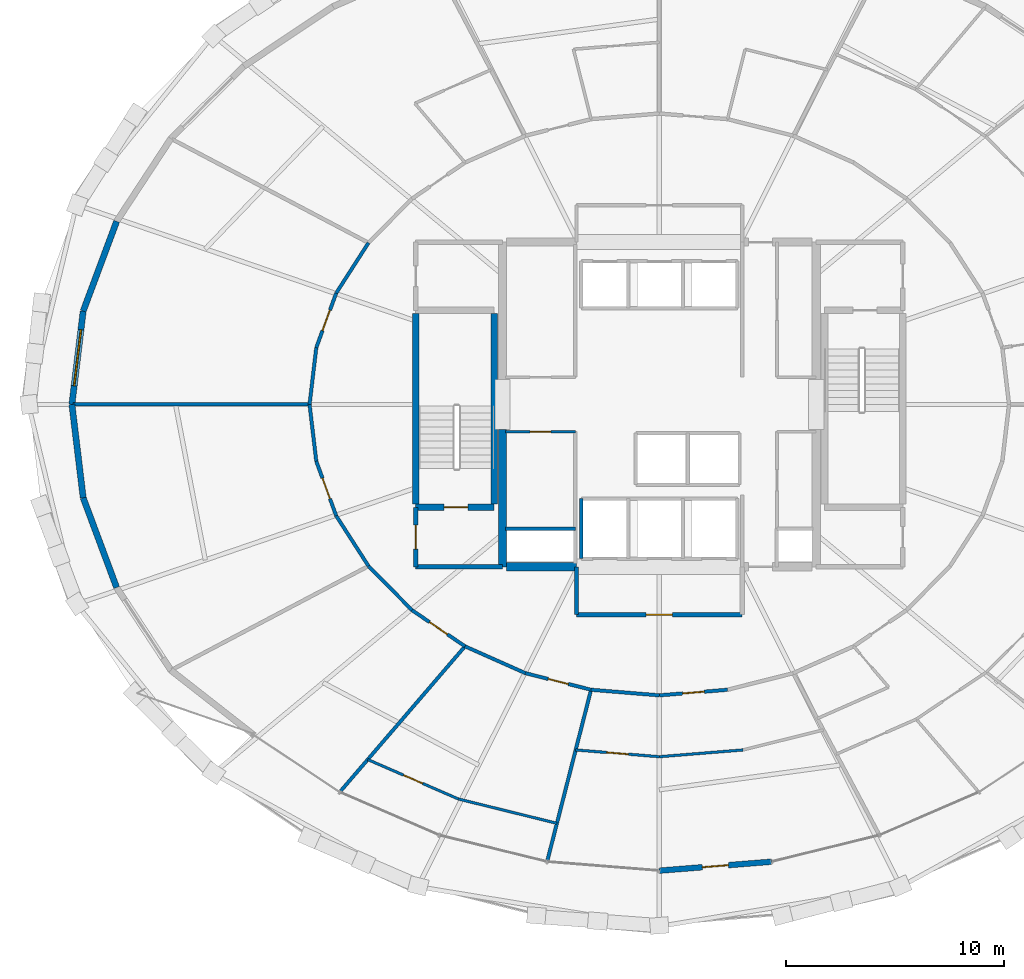
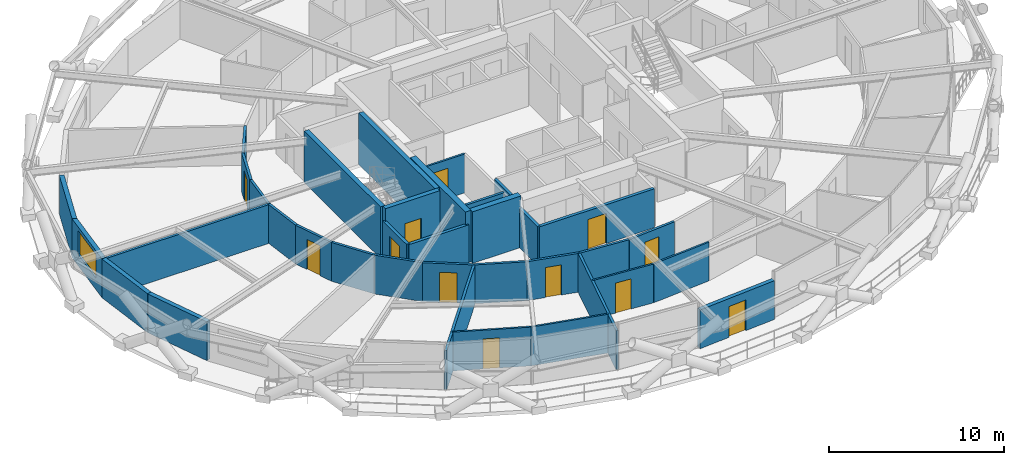
# One storey, part 13 of 19: 36 walls, 12 doors, 1 window, 13 openings.
"""IFC4 building model written with IfcOpenShell, lengths in metres."""

from ifc_helpers import new_model, si_unit, direction, frame, frame_2d, origin, place, context, subcontext, project, spatial, rectangle, extrude, material, layer, layer_set, type_object, element, fill, save


model = new_model("IFC4")

# Units and contexts
model_context = context("Model", 3, precision=1e-05, world=origin(), true_north=direction((0.0, 1.0)))
body_context = subcontext(model_context, "Body", "Model", "MODEL_VIEW")
ifc_project = project(units=[si_unit("LENGTHUNIT", "METRE"), si_unit("AREAUNIT", "SQUARE_METRE"), si_unit("VOLUMEUNIT", "CUBIC_METRE"), si_unit("PLANEANGLEUNIT", "RADIAN"), si_unit("MASSUNIT", "GRAM", prefix="KILO")], contexts=[model_context])

# Site, building, storey
site_placement = place(None, origin())
site = spatial("IfcSite", under=ifc_project, at=site_placement, CompositionType="ELEMENT")
building_placement = place(site_placement, origin())
building = spatial("IfcBuilding", under=site, at=building_placement, Name="Veldorina Hangang Commons", CompositionType="ELEMENT")
storey_placement = place(building_placement, frame((0.0, 0.0, 70.0)))
storey = spatial("IfcBuildingStorey", under=building, at=storey_placement, Name="L17", CompositionType="ELEMENT", Elevation=70.0)

# Walls
ifc_material_1 = material(Name="Concrete C70/85", Category="concrete")
ifc_layer_1 = layer(ifc_material_1, 0.3798828125)
ifc_layer_set_1 = layer_set([ifc_layer_1], Name="Concrete C70/85")
wall_type_1 = type_object("IfcWallType", Name="CW-RC380-C70", PredefinedType="SHEAR", material=ifc_layer_set_1)
wall_1_placement = place(storey_placement, frame((24.800048828125, 16.550048828125, 0.0), z_axis=(0.0, 0.0, 1.0), x_axis=(0.0, 1.0, 0.0)))
element("IfcWall", 1, at=wall_1_placement, inside=storey, type_object=wall_type_1, Name="L17 W south core shear wall", PredefinedType="SHEAR", context=body_context, shape_type="SweptSolid", body=[
    extrude(rectangle(XDim=6.300048828125, YDim=0.3798828125, at=frame_2d((3.14990234375, 0.0))), origin(), (0.0, 0.0, 1.0), 3.60009765625),
])
wall_2_placement = place(storey_placement, frame((24.989990234375, 16.550048828125, 0.0), z_axis=(0.0, 0.0, 1.0), x_axis=(1.0, 0.0, 0.0)))
element("IfcWall", 2, at=wall_2_placement, inside=storey, type_object=wall_type_1, Name="L17 south-west core shear wall", PredefinedType="SHEAR", context=body_context, shape_type="SweptSolid", body=[
    extrude(rectangle(XDim=3.2099609375, YDim=0.3798828125, at=frame_2d((1.60498046875, 0.0))), origin(), (0.0, 0.0, 1.0), 3.60009765625),
])

# Wall, opening, door
ifc_material_2 = material(Name="Stone Roman Travertine", Category="masonry")
ifc_layer_2 = layer(ifc_material_2, 0.260009765625)
ifc_layer_set_2 = layer_set([ifc_layer_2], Name="Stone Roman Travertine")
wall_type_2 = type_object("IfcWallType", Name="EW-LOGGIA-260", PredefinedType="STANDARD", material=ifc_layer_set_2)
wall_3_placement = place(storey_placement, frame((32.0, 2.604248046875, 0.0), z_axis=(0.0, 0.0, 1.0), x_axis=(0.996828188341, 0.079583685069, 0.0)))
wall_3 = element("IfcWall", 3, at=wall_3_placement, inside=storey, type_object=wall_type_2, Name="L17 sky-garden loggia portal wall 24", PredefinedType="STANDARD", context=body_context, shape_type="SweptSolid", body=[
    extrude(rectangle(XDim=5.166015625, YDim=0.260009765625, at=frame_2d((2.5830078125, 0.0))), origin(), (0.0, 0.0, 1.0), 2.7099609375),
])
opening_1_placement = place(wall_3_placement, frame((1.98291015625, 0.0, 0.0)))
opening_1 = element("IfcOpeningElement", 4, at=opening_1_placement, cuts=wall_3, Name="Opening BD-1200", PredefinedType="OPENING", context=body_context, shape_type="SweptSolid", body=[
    extrude(rectangle(XDim=1.199951171875, YDim=2.14990234375, at=frame_2d((0.60009765625, 1.074951171875))), frame((0.0, 0.14013671875, 0.0), z_axis=(0.0, -1.0, 0.0), x_axis=(1.0, 0.0, 0.0)), (0.0, 0.0, 1.0), 0.280029296875),
])
ifc_material_3 = material(Name="Glass Thermal Aluminium Frame", Category="aluminium")
door_type_1 = type_object("IfcDoorType", Name="DR-EXT-LOG1200", OperationType="SINGLE_SWING_LEFT", PredefinedType="DOOR", material=ifc_material_3)
door_1_placement = place(opening_1_placement, origin())
door_1 = element("IfcDoor", 5, at=door_1_placement, inside=storey, type_object=door_type_1, Name="L17 loggia glazed exterior door 24", OperationType="SINGLE_SWING_LEFT", OverallHeight=2.14990234375, OverallWidth=1.199951171875, PredefinedType="DOOR", context=body_context, shape_type="SweptSolid", body=[
    extrude(rectangle(XDim=1.199951171875, YDim=2.14990234375, at=frame_2d((0.60009765625, 1.074951171875))), frame((0.0, 0.02490234375, 0.0), z_axis=(0.0, -1.0, 0.0), x_axis=(1.0, 0.0, 0.0)), (0.0, 0.0, 1.0), 0.050048828125),
])
fill(opening_1, door_1)

# Wall
ifc_layer_3 = layer(ifc_material_2, 0.280029296875)
ifc_layer_set_3 = layer_set([ifc_layer_3], Name="Stone Roman Travertine")
wall_type_3 = type_object("IfcWallType", Name="EW-TRAV-280", PredefinedType="STANDARD", material=ifc_layer_set_3)
wall_4_placement = place(storey_placement, frame((7.09619140625, 32.402099609375, 0.0), z_axis=(0.0, 0.0, 1.0), x_axis=(-0.349065026796, -0.937098504464, 0.0)))
element("IfcWall", 6, at=wall_4_placement, inside=storey, type_object=wall_type_3, Name="L17 travertine facade wall 14", PredefinedType="STANDARD", context=body_context, shape_type="SweptSolid", body=[
    extrude(rectangle(XDim=4.39501953125, YDim=0.280029296875, at=frame_2d((2.197509765625, 0.0))), origin(), (0.0, 0.0, 1.0), 2.7099609375),
])

# Wall, opening, window
wall_5_placement = place(storey_placement, frame((5.56201171875, 28.283447265625, 0.0), z_axis=(0.0, 0.0, 1.0), x_axis=(-0.120015359714, -0.992772034977, 0.0)))
wall_5 = element("IfcWall", 7, at=wall_5_placement, inside=storey, type_object=wall_type_3, Name="L17 travertine facade wall 15", PredefinedType="STANDARD", context=body_context, shape_type="SweptSolid", body=[
    extrude(rectangle(XDim=4.314697265625, YDim=0.280029296875, at=frame_2d((2.1572265625, 0.0))), origin(), (0.0, 0.0, 1.0), 2.7099609375),
])
opening_2_placement = place(wall_5_placement, frame((0.857421875, 0.0, 0.800048828125)))
opening_2 = element("IfcOpeningElement", 8, at=opening_2_placement, cuts=wall_5, Name="Opening W-02", PredefinedType="OPENING", context=body_context, shape_type="SweptSolid", body=[
    extrude(rectangle(XDim=2.60009765625, YDim=1.64990234375, at=frame_2d((1.300048828125, 0.824951171875))), frame((0.0, 0.14990234375, 0.0), z_axis=(0.0, -1.0, 0.0), x_axis=(1.0, 0.0, 0.0)), (0.0, 0.0, 1.0), 0.300048828125),
])
ifc_material_4 = material(Name="Glass Low-E Triple IGU", Category="glass")
window_type = type_object("IfcWindowType", Name="WIN-TWR-2600", PartitioningType="SINGLE_PANEL", PredefinedType="WINDOW", material=ifc_material_4)
window_placement = place(opening_2_placement, origin())
window = element("IfcWindow", 9, at=window_placement, inside=storey, type_object=window_type, Name="L17 facade window 15", OverallHeight=1.64990234375, OverallWidth=2.60009765625, PartitioningType="SINGLE_PANEL", PredefinedType="WINDOW", context=body_context, shape_type="SweptSolid", body=[
    extrude(rectangle(XDim=2.60009765625, YDim=1.64990234375, at=frame_2d((1.300048828125, 0.824951171875))), frame((0.0, 0.030029296875, 0.0), z_axis=(0.0, -1.0, 0.0), x_axis=(1.0, 0.0, 0.0)), (0.0, 0.0, 1.0), 0.06005859375),
])
fill(opening_2, window)

# Walls
wall_6_placement = place(storey_placement, frame((5.044189453125, 24.0, 0.0), z_axis=(0.0, 0.0, 1.0), x_axis=(0.120015359714, -0.992772034977, 0.0)))
element("IfcWall", 10, at=wall_6_placement, inside=storey, type_object=wall_type_3, Name="L17 travertine facade wall 16", PredefinedType="STANDARD", context=body_context, shape_type="SweptSolid", body=[
    extrude(rectangle(XDim=4.314697265625, YDim=0.280029296875, at=frame_2d((2.1572265625, 0.0))), origin(), (0.0, 0.0, 1.0), 2.7099609375),
])
wall_7_placement = place(storey_placement, frame((5.56201171875, 19.716552734375, 0.0), z_axis=(0.0, 0.0, 1.0), x_axis=(0.349065026796, -0.937098504464, 0.0)))
element("IfcWall", 11, at=wall_7_placement, inside=storey, type_object=wall_type_3, Name="L17 travertine facade wall 17", PredefinedType="STANDARD", context=body_context, shape_type="SweptSolid", body=[
    extrude(rectangle(XDim=4.39501953125, YDim=0.280029296875, at=frame_2d((2.197509765625, 0.0))), origin(), (0.0, 0.0, 1.0), 2.7099609375),
])
ifc_material_5 = material(Name="Concrete C50/60", Category="concrete")
ifc_layer_4 = layer(ifc_material_5, 0.300048828125)
ifc_layer_set_4 = layer_set([ifc_layer_4], Name="Concrete C50/60")
wall_type_4 = type_object("IfcWallType", Name="SW-STAIR-300", PredefinedType="SHEAR", material=ifc_layer_set_4)
for number, where, z_axis, x_axis, name in (
    (12, (20.820068359375, 19.429931640625, 0.0), (0.0, 0.0, 1.0), (0.0, 1.0, 0.0), "L17 ST1 outer stair shear wall"),
    (13, (24.419921875, 19.429931640625, 0.0), (0.0, 0.0, 1.0), (0.0, 1.0, 0.0), "L17 ST1 inner stair shear wall"),
):
    element("IfcWall", number, at=place(storey_placement, frame(where, z_axis=z_axis, x_axis=x_axis)), inside=storey, type_object=wall_type_4, Name=name, PredefinedType="SHEAR", context=body_context, shape_type="SweptSolid", body=[
        extrude(rectangle(XDim=8.739990234375, YDim=0.300048828125, at=frame_2d((4.3701171875, 0.0))), origin(), (0.0, 0.0, 1.0), 3.60009765625),
    ])

# Wall, opening, door
wall_8_placement = place(storey_placement, frame((20.820068359375, 19.280029296875, 0.0), z_axis=(0.0, 0.0, 1.0), x_axis=(1.0, 0.0, 0.0)))
wall_8 = element("IfcWall", 14, at=wall_8_placement, inside=storey, type_object=wall_type_4, Name="L17 ST1 south stair shear wall", PredefinedType="SHEAR", context=body_context, shape_type="SweptSolid", body=[
    extrude(rectangle(XDim=3.599853515625, YDim=0.300048828125, at=frame_2d((1.7998046875, 0.0))), origin(), (0.0, 0.0, 1.0), 3.60009765625),
])
opening_3_placement = place(wall_8_placement, frame((1.300048828125, 0.0, 0.0)))
opening_3 = element("IfcOpeningElement", 15, at=opening_3_placement, cuts=wall_8, Name="Opening D-08", PredefinedType="OPENING", context=body_context, shape_type="SweptSolid", body=[
    extrude(rectangle(XDim=1.10009765625, YDim=2.10009765625, at=frame_2d((0.550048828125, 1.050048828125))), frame((0.0, 0.16015625, 0.0), z_axis=(0.0, -1.0, 0.0), x_axis=(1.0, 0.0, 0.0)), (0.0, 0.0, 1.0), 0.320068359375),
])
ifc_material_6 = material(Name="Steel Fire-Rated Smoke Seal", Category="steel")
door_type_2 = type_object("IfcDoorType", Name="DR-FIRE-1100", OperationType="SINGLE_SWING_RIGHT", PredefinedType="DOOR", material=ifc_material_6)
door_2_placement = place(opening_3_placement, origin())
door_2 = element("IfcDoor", 16, at=door_2_placement, inside=storey, type_object=door_type_2, Name="L17 Special Escape Stair ST-1 door", OperationType="SINGLE_SWING_LEFT", OverallHeight=2.10009765625, OverallWidth=1.10009765625, PredefinedType="DOOR", context=body_context, shape_type="SweptSolid", body=[
    extrude(rectangle(XDim=1.10009765625, YDim=2.10009765625, at=frame_2d((0.550048828125, 1.050048828125))), frame((0.0, 0.02490234375, 0.0), z_axis=(0.0, -1.0, 0.0), x_axis=(1.0, 0.0, 0.0)), (0.0, 0.0, 1.0), 0.050048828125),
])
fill(opening_3, door_2)

# Walls
ifc_material_7 = material(Name="Gypsum Fire-Rated Twin Stud Wall", Category="gypsum")
ifc_layer_5 = layer(ifc_material_7, 0.159912109375)
ifc_layer_set_5 = layer_set([ifc_layer_5], Name="Gypsum Fire-Rated Twin Stud Wall")
wall_type_5 = type_object("IfcWallType", Name="WL-FIRE-160", PredefinedType="SOLIDWALL", material=ifc_layer_set_5)
wall_9_placement = place(storey_placement, frame((28.419921875, 16.919921875, 0.0), z_axis=(0.0, 0.0, 1.0), x_axis=(0.0, 1.0, 0.0)))
element("IfcWall", 17, at=wall_9_placement, inside=storey, type_object=wall_type_5, Name="L17 FFL-1 west shaft wall 028", PredefinedType="SOLIDWALL", context=body_context, shape_type="SweptSolid", body=[
    extrude(rectangle(XDim=2.760009765625, YDim=0.159912109375, at=frame_2d((1.3798828125, 0.0))), origin(), (0.0, 0.0, 1.0), 2.7099609375),
])
wall_10_placement = place(storey_placement, frame((24.949951171875, 18.300048828125, 0.0), z_axis=(0.0, 0.0, 1.0), x_axis=(1.0, 0.0, 0.0)))
element("IfcWall", 18, at=wall_10_placement, inside=storey, type_object=wall_type_5, Name="L17 Electrical riser wall 035", PredefinedType="SOLIDWALL", context=body_context, shape_type="SweptSolid", body=[
    extrude(rectangle(XDim=3.199951171875, YDim=0.159912109375, at=frame_2d((1.60009765625, 0.0))), origin(), (0.0, 0.0, 1.0), 2.7099609375),
])
wall_11_placement = place(storey_placement, frame((18.65478515625, 31.4169921875, 0.0), z_axis=(0.0, 0.0, 1.0), x_axis=(-0.540595670038, -0.841282545603, 0.0)))
element("IfcWall", 19, at=wall_11_placement, inside=storey, type_object=wall_type_5, Name="L17 Corridor outer wall 13 058", PredefinedType="SOLIDWALL", context=body_context, shape_type="SweptSolid", body=[
    extrude(rectangle(XDim=2.74365234375, YDim=0.159912109375, at=frame_2d((1.371826171875, 0.0))), origin(), (0.0, 0.0, 1.0), 2.7099609375),
])

# Wall, opening, door
wall_12_placement = place(storey_placement, frame((17.171630859375, 29.10888671875, 0.0), z_axis=(0.0, 0.0, 1.0), x_axis=(-0.342617982381, -0.939474809747, 0.0)))
wall_12 = element("IfcWall", 20, at=wall_12_placement, inside=storey, type_object=wall_type_5, Name="L17 Corridor outer wall 14 059", PredefinedType="SOLIDWALL", context=body_context, shape_type="SweptSolid", body=[
    extrude(rectangle(XDim=2.665771484375, YDim=0.159912109375, at=frame_2d((1.3330078125, 0.0))), origin(), (0.0, 0.0, 1.0), 2.7099609375),
])
opening_4_placement = place(wall_12_placement, frame((0.832763671875, 0.0, 0.0)))
opening_4 = element("IfcOpeningElement", 21, at=opening_4_placement, cuts=wall_12, Name="Opening D-05", PredefinedType="OPENING", context=body_context, shape_type="SweptSolid", body=[
    extrude(rectangle(XDim=1.0, YDim=2.10009765625, at=frame_2d((0.5, 1.050048828125))), frame((0.0, 0.08984375, 0.0), z_axis=(0.0, -1.0, 0.0), x_axis=(1.0, 0.0, 0.0)), (0.0, 0.0, 1.0), 0.179931640625),
])
ifc_material_8 = material(Name="Timber Solid Core Acoustic", Category="wood")
door_type_3 = type_object("IfcDoorType", Name="DR-INT-1000", OperationType="SINGLE_SWING_RIGHT", PredefinedType="DOOR", material=ifc_material_8)
door_3_placement = place(opening_4_placement, origin())
door_3 = element("IfcDoor", 22, at=door_3_placement, inside=storey, type_object=door_type_3, Name="L17 Floor Study Room 7 door 041", OperationType="SINGLE_SWING_LEFT", OverallHeight=2.10009765625, OverallWidth=1.0, PredefinedType="DOOR", context=body_context, shape_type="SweptSolid", body=[
    extrude(rectangle(XDim=1.0, YDim=2.10009765625, at=frame_2d((0.5, 1.050048828125))), frame((0.0, 0.02490234375, 0.0), z_axis=(0.0, -1.0, 0.0), x_axis=(1.0, 0.0, 0.0)), (0.0, 0.0, 1.0), 0.050048828125),
])
fill(opening_4, door_3)

# Walls
for number, where, z_axis, x_axis, name in (
    (23, (16.25830078125, 26.6044921875, 0.0), (0.0, 0.0, 1.0), (-0.117570353762, -0.993064555765, 0.0), "L17 Corridor outer wall 15 060"),
    (24, (15.949951171875, 24.0, 0.0), (0.0, 0.0, 1.0), (0.117570353762, -0.993064555765, 0.0), "L17 Corridor outer wall 16 061"),
):
    element("IfcWall", number, at=place(storey_placement, frame(where, z_axis=z_axis, x_axis=x_axis)), inside=storey, type_object=wall_type_5, Name=name, PredefinedType="SOLIDWALL", context=body_context, shape_type="SweptSolid", body=[
        extrude(rectangle(XDim=2.622802734375, YDim=0.159912109375, at=frame_2d((1.3115234375, 0.0))), origin(), (0.0, 0.0, 1.0), 2.7099609375),
    ])

# Wall, opening, door
wall_13_placement = place(storey_placement, frame((16.25830078125, 21.3955078125, 0.0), z_axis=(0.0, 0.0, 1.0), x_axis=(0.342617982381, -0.939474809747, 0.0)))
wall_13 = element("IfcWall", 25, at=wall_13_placement, inside=storey, type_object=wall_type_5, Name="L17 Corridor outer wall 17 062", PredefinedType="SOLIDWALL", context=body_context, shape_type="SweptSolid", body=[
    extrude(rectangle(XDim=2.665771484375, YDim=0.159912109375, at=frame_2d((1.3330078125, 0.0))), origin(), (0.0, 0.0, 1.0), 2.7099609375),
])
opening_5_placement = place(wall_13_placement, frame((0.832763671875, 0.0, 0.0)))
opening_5 = element("IfcOpeningElement", 26, at=opening_5_placement, cuts=wall_13, Name="Opening D-05", PredefinedType="OPENING", context=body_context, shape_type="SweptSolid", body=[
    extrude(rectangle(XDim=1.0, YDim=2.10009765625, at=frame_2d((0.5, 1.050048828125))), frame((0.0, 0.08984375, 0.0), z_axis=(0.0, -1.0, 0.0), x_axis=(1.0, 0.0, 0.0)), (0.0, 0.0, 1.0), 0.179931640625),
])
door_4_placement = place(opening_5_placement, origin())
door_4 = element("IfcDoor", 27, at=door_4_placement, inside=storey, type_object=door_type_3, Name="L17 Floor Study Room 8 door 042", OperationType="SINGLE_SWING_RIGHT", OverallHeight=2.10009765625, OverallWidth=1.0, PredefinedType="DOOR", context=body_context, shape_type="SweptSolid", body=[
    extrude(rectangle(XDim=1.0, YDim=2.10009765625, at=frame_2d((0.5, 1.050048828125))), frame((0.0, 0.02490234375, 0.0), z_axis=(0.0, -1.0, 0.0), x_axis=(1.0, 0.0, 0.0)), (0.0, 0.0, 1.0), 0.050048828125),
])
fill(opening_5, door_4)

# Walls
wall_14_placement = place(storey_placement, frame((17.171630859375, 18.89111328125, 0.0), z_axis=(0.0, 0.0, 1.0), x_axis=(0.540595670038, -0.841282545603, 0.0)))
element("IfcWall", 28, at=wall_14_placement, inside=storey, type_object=wall_type_5, Name="L17 Corridor outer wall 18 063", PredefinedType="SOLIDWALL", context=body_context, shape_type="SweptSolid", body=[
    extrude(rectangle(XDim=2.74365234375, YDim=0.159912109375, at=frame_2d((1.371826171875, 0.0))), origin(), (0.0, 0.0, 1.0), 2.7099609375),
])
wall_15_placement = place(storey_placement, frame((18.65478515625, 16.5830078125, 0.0), z_axis=(0.0, 0.0, 1.0), x_axis=(0.702366174226, -0.711815816981, 0.0)))
element("IfcWall", 29, at=wall_15_placement, inside=storey, type_object=wall_type_5, Name="L17 Corridor outer wall 19 064", PredefinedType="SOLIDWALL", context=body_context, shape_type="SweptSolid", body=[
    extrude(rectangle(XDim=2.842041015625, YDim=0.159912109375, at=frame_2d((1.4208984375, 0.0))), origin(), (0.0, 0.0, 1.0), 2.7099609375),
])

# Wall, opening, door
wall_16_placement = place(storey_placement, frame((20.65087890625, 14.56005859375, 0.0), z_axis=(0.0, 0.0, 1.0), x_axis=(0.825929039072, -0.563774088104, 0.0)))
wall_16 = element("IfcWall", 30, at=wall_16_placement, inside=storey, type_object=wall_type_5, Name="L17 Corridor outer wall 20 065", PredefinedType="SOLIDWALL", context=body_context, shape_type="SweptSolid", body=[
    extrude(rectangle(XDim=2.94482421875, YDim=0.159912109375, at=frame_2d((1.472412109375, 0.0))), origin(), (0.0, 0.0, 1.0), 2.7099609375),
])
opening_6_placement = place(wall_16_placement, frame((0.972412109375, 0.0, 0.0)))
opening_6 = element("IfcOpeningElement", 31, at=opening_6_placement, cuts=wall_16, Name="Opening D-05", PredefinedType="OPENING", context=body_context, shape_type="SweptSolid", body=[
    extrude(rectangle(XDim=1.0, YDim=2.10009765625, at=frame_2d((0.5, 1.050048828125))), frame((0.0, 0.08984375, 0.0), z_axis=(0.0, -1.0, 0.0), x_axis=(1.0, 0.0, 0.0)), (0.0, 0.0, 1.0), 0.179931640625),
])
door_5_placement = place(opening_6_placement, origin())
door_5 = element("IfcDoor", 32, at=door_5_placement, inside=storey, type_object=door_type_3, Name="L17 Seminar Focus Room 9 door 043", OperationType="SINGLE_SWING_LEFT", OverallHeight=2.10009765625, OverallWidth=1.0, PredefinedType="DOOR", context=body_context, shape_type="SweptSolid", body=[
    extrude(rectangle(XDim=1.0, YDim=2.10009765625, at=frame_2d((0.5, 1.050048828125))), frame((0.0, 0.02490234375, 0.0), z_axis=(0.0, -1.0, 0.0), x_axis=(1.0, 0.0, 0.0)), (0.0, 0.0, 1.0), 0.050048828125),
])
fill(opening_6, door_5)

# Wall
wall_17_placement = place(storey_placement, frame((23.0830078125, 12.89990234375, 0.0), z_axis=(0.0, 0.0, 1.0), x_axis=(0.913768445178, -0.406235434936, 0.0)))
element("IfcWall", 33, at=wall_17_placement, inside=storey, type_object=wall_type_5, Name="L17 Corridor outer wall 21 066", PredefinedType="SOLIDWALL", context=body_context, shape_type="SweptSolid", body=[
    extrude(rectangle(XDim=3.036865234375, YDim=0.159912109375, at=frame_2d((1.5185546875, 0.0))), origin(), (0.0, 0.0, 1.0), 2.7099609375),
])

# Wall, opening, door
wall_18_placement = place(storey_placement, frame((25.85791015625, 11.666259765625, 0.0), z_axis=(0.0, 0.0, 1.0), x_axis=(0.969608333194, -0.244662380029, 0.0)))
wall_18 = element("IfcWall", 34, at=wall_18_placement, inside=storey, type_object=wall_type_5, Name="L17 Corridor outer wall 22 067", PredefinedType="SOLIDWALL", context=body_context, shape_type="SweptSolid", body=[
    extrude(rectangle(XDim=3.10546875, YDim=0.159912109375, at=frame_2d((1.552734375, 0.0))), origin(), (0.0, 0.0, 1.0), 2.7099609375),
])
opening_7_placement = place(wall_18_placement, frame((1.07763671875, 0.0, 0.0)))
opening_7 = element("IfcOpeningElement", 35, at=opening_7_placement, cuts=wall_18, Name="Opening D-02", PredefinedType="OPENING", context=body_context, shape_type="SweptSolid", body=[
    extrude(rectangle(XDim=0.949951171875, YDim=2.10009765625, at=frame_2d((0.47509765625, 1.050048828125))), frame((0.0, 0.08984375, 0.0), z_axis=(0.0, -1.0, 0.0), x_axis=(1.0, 0.0, 0.0)), (0.0, 0.0, 1.0), 0.179931640625),
])
door_type_4 = type_object("IfcDoorType", Name="DR-INT-950", OperationType="SINGLE_SWING_LEFT", PredefinedType="DOOR", material=ifc_material_8)
door_6_placement = place(opening_7_placement, origin())
door_6 = element("IfcDoor", 36, at=door_6_placement, inside=storey, type_object=door_type_4, Name="L17 Linen drying store door 044", OperationType="SINGLE_SWING_RIGHT", OverallHeight=2.10009765625, OverallWidth=0.949951171875, PredefinedType="DOOR", context=body_context, shape_type="SweptSolid", body=[
    extrude(rectangle(XDim=0.949951171875, YDim=2.10009765625, at=frame_2d((0.47509765625, 1.050048828125))), frame((0.0, 0.02490234375, 0.0), z_axis=(0.0, -1.0, 0.0), x_axis=(1.0, 0.0, 0.0)), (0.0, 0.0, 1.0), 0.050048828125),
])
fill(opening_7, door_6)

# Wall
wall_19_placement = place(storey_placement, frame((28.868896484375, 10.906494140625, 0.0), z_axis=(0.0, 0.0, 1.0), x_axis=(0.996658973252, -0.081675522876, 0.0)))
element("IfcWall", 37, at=wall_19_placement, inside=storey, type_object=wall_type_5, Name="L17 Corridor outer wall 23 068", PredefinedType="SOLIDWALL", context=body_context, shape_type="SweptSolid", body=[
    extrude(rectangle(XDim=3.1416015625, YDim=0.159912109375, at=frame_2d((1.57080078125, 0.0))), origin(), (0.0, 0.0, 1.0), 2.7099609375),
])

# Wall, opening, door
wall_20_placement = place(storey_placement, frame((32.0, 10.64990234375, 0.0), z_axis=(0.0, 0.0, 1.0), x_axis=(0.996658973252, 0.081675522876, 0.0)))
wall_20 = element("IfcWall", 38, at=wall_20_placement, inside=storey, type_object=wall_type_5, Name="L17 Corridor outer wall 24 069", PredefinedType="SOLIDWALL", context=body_context, shape_type="SweptSolid", body=[
    extrude(rectangle(XDim=3.1416015625, YDim=0.159912109375, at=frame_2d((1.57080078125, 0.0))), origin(), (0.0, 0.0, 1.0), 2.7099609375),
])
opening_8_placement = place(wall_20_placement, frame((1.07080078125, 0.0, 0.0)))
opening_8 = element("IfcOpeningElement", 39, at=opening_8_placement, cuts=wall_20, Name="Opening D-05", PredefinedType="OPENING", context=body_context, shape_type="SweptSolid", body=[
    extrude(rectangle(XDim=1.0, YDim=2.10009765625, at=frame_2d((0.5, 1.050048828125))), frame((0.0, 0.08984375, 0.0), z_axis=(0.0, -1.0, 0.0), x_axis=(1.0, 0.0, 0.0)), (0.0, 0.0, 1.0), 0.179931640625),
])
door_7_placement = place(opening_8_placement, origin())
door_7 = element("IfcDoor", 40, at=door_7_placement, inside=storey, type_object=door_type_3, Name="L17 Commons alcove door 017", OperationType="SINGLE_SWING_LEFT", OverallHeight=2.10009765625, OverallWidth=1.0, PredefinedType="DOOR", context=body_context, shape_type="SweptSolid", body=[
    extrude(rectangle(XDim=1.0, YDim=2.10009765625, at=frame_2d((0.5, 1.050048828125))), frame((0.0, 0.02490234375, 0.0), z_axis=(0.0, -1.0, 0.0), x_axis=(1.0, 0.0, 0.0)), (0.0, 0.0, 1.0), 0.050048828125),
])
fill(opening_8, door_7)

# Walls
wall_21_placement = place(storey_placement, frame((28.868896484375, 10.906494140625, 0.0), z_axis=(0.0, 0.0, 1.0), x_axis=(-0.247811526691, -0.968808261339, 0.0)))
element("IfcWall", 41, at=wall_21_placement, inside=storey, type_object=wall_type_5, Name="L17 Unit party wall 23 077", PredefinedType="SOLIDWALL", context=body_context, shape_type="SweptSolid", body=[
    extrude(rectangle(XDim=8.09521484375, YDim=0.159912109375, at=frame_2d((4.047607421875, 0.0))), origin(), (0.0, 0.0, 1.0), 2.7099609375),
])
wall_22_placement = place(storey_placement, frame((15.949951171875, 24.0, 0.0), z_axis=(0.0, 0.0, 1.0), x_axis=(-1.0, 0.0, 0.0)))
element("IfcWall", 42, at=wall_22_placement, inside=storey, type_object=wall_type_5, Name="L17 Unit party wall 16 119", PredefinedType="SOLIDWALL", context=body_context, shape_type="SweptSolid", body=[
    extrude(rectangle(XDim=10.855712890625, YDim=0.159912109375, at=frame_2d((5.427734375, 0.0))), origin(), (0.0, 0.0, 1.0), 2.7099609375),
])
wall_23_placement = place(storey_placement, frame((23.0830078125, 12.89990234375, 0.0), z_axis=(0.0, 0.0, 1.0), x_axis=(-0.651664407247, -0.758507416133, 0.0)))
element("IfcWall", 43, at=wall_23_placement, inside=storey, type_object=wall_type_5, Name="L17 Unit party wall 21 121", PredefinedType="SOLIDWALL", context=body_context, shape_type="SweptSolid", body=[
    extrude(rectangle(XDim=8.77001953125, YDim=0.159912109375, at=frame_2d((4.385009765625, 0.0))), origin(), (0.0, 0.0, 1.0), 2.7099609375),
])

# Wall, opening, door
ifc_material_9 = material(Name="Concrete Blockwork Fire Wall C30/37", Category="masonry")
ifc_layer_6 = layer(ifc_material_9, 0.199951171875)
ifc_layer_set_6 = layer_set([ifc_layer_6], Name="Concrete Blockwork Fire Wall C30/37")
wall_type_6 = type_object("IfcWallType", Name="WL-FIRE-200", PredefinedType="SOLIDWALL", material=ifc_layer_set_6)
wall_24_placement = place(storey_placement, frame((20.820068359375, 16.550048828125, 0.0), z_axis=(0.0, 0.0, 1.0), x_axis=(0.0, 1.0, 0.0)))
wall_24 = element("IfcWall", 44, at=wall_24_placement, inside=storey, type_object=wall_type_6, Name="L17 West vestibule outer wall 001", PredefinedType="SOLIDWALL", context=body_context, shape_type="SweptSolid", body=[
    extrude(rectangle(XDim=2.72998046875, YDim=0.199951171875, at=frame_2d((1.364990234375, 0.0))), origin(), (0.0, 0.0, 1.0), 2.7099609375),
])
opening_9_placement = place(wall_24_placement, frame((0.81494140625, 0.0, 0.0)))
opening_9 = element("IfcOpeningElement", 45, at=opening_9_placement, cuts=wall_24, Name="Opening D-08", PredefinedType="OPENING", context=body_context, shape_type="SweptSolid", body=[
    extrude(rectangle(XDim=1.10009765625, YDim=2.10009765625, at=frame_2d((0.550048828125, 1.050048828125))), frame((0.0, 0.10986328125, 0.0), z_axis=(0.0, -1.0, 0.0), x_axis=(1.0, 0.0, 0.0)), (0.0, 0.0, 1.0), 0.219970703125),
])
door_8_placement = place(opening_9_placement, origin())
door_8 = element("IfcDoor", 46, at=door_8_placement, inside=storey, type_object=door_type_2, Name="L17 West vestibule west door 001", OperationType="SINGLE_SWING_LEFT", OverallHeight=2.10009765625, OverallWidth=1.10009765625, PredefinedType="DOOR", context=body_context, shape_type="SweptSolid", body=[
    extrude(rectangle(XDim=1.10009765625, YDim=2.10009765625, at=frame_2d((0.550048828125, 1.050048828125))), frame((0.0, 0.02490234375, 0.0), z_axis=(0.0, -1.0, 0.0), x_axis=(1.0, 0.0, 0.0)), (0.0, 0.0, 1.0), 0.050048828125),
])
fill(opening_9, door_8)

# Walls
wall_25_placement = place(storey_placement, frame((20.820068359375, 16.550048828125, 0.0), z_axis=(0.0, 0.0, 1.0), x_axis=(1.0, 0.0, 0.0)))
element("IfcWall", 47, at=wall_25_placement, inside=storey, type_object=wall_type_6, Name="L17 West vestibule south wall 002", PredefinedType="SOLIDWALL", context=body_context, shape_type="SweptSolid", body=[
    extrude(rectangle(XDim=3.97998046875, YDim=0.199951171875, at=frame_2d((1.989990234375, 0.0))), origin(), (0.0, 0.0, 1.0), 2.7099609375),
])
wall_26_placement = place(storey_placement, frame((28.199951171875, 14.35009765625, 0.0), z_axis=(0.0, 0.0, 1.0), x_axis=(0.0, 1.0, 0.0)))
element("IfcWall", 48, at=wall_26_placement, inside=storey, type_object=wall_type_6, Name="L17 FF lobby west wall 012", PredefinedType="SOLIDWALL", context=body_context, shape_type="SweptSolid", body=[
    extrude(rectangle(XDim=2.199951171875, YDim=0.199951171875, at=frame_2d((1.10009765625, 0.0))), origin(), (0.0, 0.0, 1.0), 2.7099609375),
])

# Wall, opening, door
wall_27_placement = place(storey_placement, frame((28.199951171875, 14.35009765625, 0.0), z_axis=(0.0, 0.0, 1.0), x_axis=(1.0, 0.0, 0.0)))
wall_27 = element("IfcWall", 49, at=wall_27_placement, inside=storey, type_object=wall_type_6, Name="L17 FF lobby south wall 014", PredefinedType="SOLIDWALL", context=body_context, shape_type="SweptSolid", body=[
    extrude(rectangle(XDim=7.60009765625, YDim=0.199951171875, at=frame_2d((3.800048828125, 0.0))), origin(), (0.0, 0.0, 1.0), 2.7099609375),
])
opening_10_placement = place(wall_27_placement, frame((3.199951171875, 0.0, 0.0)))
opening_10 = element("IfcOpeningElement", 50, at=opening_10_placement, cuts=wall_27, Name="Opening D-09", PredefinedType="OPENING", context=body_context, shape_type="SweptSolid", body=[
    extrude(rectangle(XDim=1.199951171875, YDim=2.10009765625, at=frame_2d((0.60009765625, 1.050048828125))), frame((0.0, 0.10986328125, 0.0), z_axis=(0.0, -1.0, 0.0), x_axis=(1.0, 0.0, 0.0)), (0.0, 0.0, 1.0), 0.219970703125),
])
ifc_material_10 = material(Name="Steel Fire-Rated Corridor Door", Category="steel")
door_type_5 = type_object("IfcDoorType", Name="DR-FIRE-1200", OperationType="SINGLE_SWING_LEFT", PredefinedType="DOOR", material=ifc_material_10)
door_9_placement = place(opening_10_placement, origin())
door_9 = element("IfcDoor", 51, at=door_9_placement, inside=storey, type_object=door_type_5, Name="L17 FF lobby south corridor door 005", OperationType="SINGLE_SWING_LEFT", OverallHeight=2.10009765625, OverallWidth=1.199951171875, PredefinedType="DOOR", context=body_context, shape_type="SweptSolid", body=[
    extrude(rectangle(XDim=1.199951171875, YDim=2.10009765625, at=frame_2d((0.60009765625, 1.050048828125))), frame((0.0, 0.02490234375, 0.0), z_axis=(0.0, -1.0, 0.0), x_axis=(1.0, 0.0, 0.0)), (0.0, 0.0, 1.0), 0.050048828125),
])
fill(opening_10, door_9)

ifc_material_11 = material(Name="Gypsum Acoustic Stud Partition", Category="gypsum")
ifc_layer_7 = layer(ifc_material_11, 0.1201171875)
ifc_layer_set_7 = layer_set([ifc_layer_7], Name="Gypsum Acoustic Stud Partition")
wall_type_7 = type_object("IfcWallType", Name="WL-PART-120", PredefinedType="PARTITIONING", material=ifc_layer_set_7)
wall_28_placement = place(storey_placement, frame((24.949951171875, 22.75, 0.0), z_axis=(0.0, 0.0, 1.0), x_axis=(1.0, 0.0, 0.0)))
wall_28 = element("IfcWall", 52, at=wall_28_placement, inside=storey, type_object=wall_type_7, Name="L17 SW service north wall 040", PredefinedType="PARTITIONING", context=body_context, shape_type="SweptSolid", body=[
    extrude(rectangle(XDim=3.199951171875, YDim=0.1201171875, at=frame_2d((1.60009765625, 0.0))), origin(), (0.0, 0.0, 1.0), 2.7099609375),
])
opening_11_placement = place(wall_28_placement, frame((1.125, 0.0, 0.0)))
opening_11 = element("IfcOpeningElement", 53, at=opening_11_placement, cuts=wall_28, Name="Opening D-02", PredefinedType="OPENING", context=body_context, shape_type="SweptSolid", body=[
    extrude(rectangle(XDim=0.949951171875, YDim=2.10009765625, at=frame_2d((0.47509765625, 1.050048828125))), frame((0.0, 0.070068359375, 0.0), z_axis=(0.0, -1.0, 0.0), x_axis=(1.0, 0.0, 0.0)), (0.0, 0.0, 1.0), 0.14013671875),
])
door_10_placement = place(opening_11_placement, origin())
door_10 = element("IfcDoor", 54, at=door_10_placement, inside=storey, type_object=door_type_4, Name="L17 Refuse hold door 014", OperationType="SINGLE_SWING_RIGHT", OverallHeight=2.10009765625, OverallWidth=0.949951171875, PredefinedType="DOOR", context=body_context, shape_type="SweptSolid", body=[
    extrude(rectangle(XDim=0.949951171875, YDim=2.10009765625, at=frame_2d((0.47509765625, 1.050048828125))), frame((0.0, 0.02490234375, 0.0), z_axis=(0.0, -1.0, 0.0), x_axis=(1.0, 0.0, 0.0)), (0.0, 0.0, 1.0), 0.050048828125),
])
fill(opening_11, door_10)

wall_29_placement = place(storey_placement, frame((28.162353515625, 8.14453125, 0.0), z_axis=(0.0, 0.0, 1.0), x_axis=(0.996741873993, -0.080657526797, 0.0)))
wall_29 = element("IfcWall", 55, at=wall_29_placement, inside=storey, type_object=wall_type_7, Name="L17 Lounge alcove split 0 078", PredefinedType="PARTITIONING", context=body_context, shape_type="SweptSolid", body=[
    extrude(rectangle(XDim=3.85009765625, YDim=0.1201171875, at=frame_2d((1.925048828125, 0.0))), origin(), (0.0, 0.0, 1.0), 2.7099609375),
])
opening_12_placement = place(wall_29_placement, frame((1.425048828125, 0.0, 0.0)))
opening_12 = element("IfcOpeningElement", 56, at=opening_12_placement, cuts=wall_29, Name="Opening D-05", PredefinedType="OPENING", context=body_context, shape_type="SweptSolid", body=[
    extrude(rectangle(XDim=1.0, YDim=2.10009765625, at=frame_2d((0.5, 1.050048828125))), frame((0.0, 0.070068359375, 0.0), z_axis=(0.0, -1.0, 0.0), x_axis=(1.0, 0.0, 0.0)), (0.0, 0.0, 1.0), 0.14013671875),
])
door_11_placement = place(opening_12_placement, origin())
door_11 = element("IfcDoor", 57, at=door_11_placement, inside=storey, type_object=door_type_3, Name="L17 Commons lounge door 018", OperationType="SINGLE_SWING_RIGHT", OverallHeight=2.10009765625, OverallWidth=1.0, PredefinedType="DOOR", context=body_context, shape_type="SweptSolid", body=[
    extrude(rectangle(XDim=1.0, YDim=2.10009765625, at=frame_2d((0.5, 1.050048828125))), frame((0.0, 0.02490234375, 0.0), z_axis=(0.0, -1.0, 0.0), x_axis=(1.0, 0.0, 0.0)), (0.0, 0.0, 1.0), 0.050048828125),
])
fill(opening_12, door_11)

# Wall
wall_30_placement = place(storey_placement, frame((32.0, 7.833984375, 0.0), z_axis=(0.0, 0.0, 1.0), x_axis=(0.996741873993, 0.080657526797, 0.0)))
element("IfcWall", 58, at=wall_30_placement, inside=storey, type_object=wall_type_7, Name="L17 Lounge alcove split 1 079", PredefinedType="PARTITIONING", context=body_context, shape_type="SweptSolid", body=[
    extrude(rectangle(XDim=3.85009765625, YDim=0.1201171875, at=frame_2d((1.925048828125, 0.0))), origin(), (0.0, 0.0, 1.0), 2.7099609375),
])

# Wall, opening, door
wall_31_placement = place(storey_placement, frame((18.618896484375, 7.7041015625, 0.0), z_axis=(0.0, 0.0, 1.0), x_axis=(0.917023892151, -0.398832272044, 0.0)))
wall_31 = element("IfcWall", 59, at=wall_31_placement, inside=storey, type_object=wall_type_7, Name="L17 Laundry split 0 122", PredefinedType="PARTITIONING", context=body_context, shape_type="SweptSolid", body=[
    extrude(rectangle(XDim=4.540771484375, YDim=0.1201171875, at=frame_2d((2.2705078125, 0.0))), origin(), (0.0, 0.0, 1.0), 2.7099609375),
])
opening_13_placement = place(wall_31_placement, frame((1.79541015625, 0.0, 0.0)))
opening_13 = element("IfcOpeningElement", 60, at=opening_13_placement, cuts=wall_31, Name="Opening D-02", PredefinedType="OPENING", context=body_context, shape_type="SweptSolid", body=[
    extrude(rectangle(XDim=0.949951171875, YDim=2.10009765625, at=frame_2d((0.47509765625, 1.050048828125))), frame((0.0, 0.070068359375, 0.0), z_axis=(0.0, -1.0, 0.0), x_axis=(1.0, 0.0, 0.0)), (0.0, 0.0, 1.0), 0.14013671875),
])
door_12_placement = place(opening_13_placement, origin())
door_12 = element("IfcDoor", 61, at=door_12_placement, inside=storey, type_object=door_type_4, Name="L17 Resident laundry inner door 045", OperationType="SINGLE_SWING_LEFT", OverallHeight=2.10009765625, OverallWidth=0.949951171875, PredefinedType="DOOR", context=body_context, shape_type="SweptSolid", body=[
    extrude(rectangle(XDim=0.949951171875, YDim=2.10009765625, at=frame_2d((0.47509765625, 1.050048828125))), frame((0.0, 0.02490234375, 0.0), z_axis=(0.0, -1.0, 0.0), x_axis=(1.0, 0.0, 0.0)), (0.0, 0.0, 1.0), 0.050048828125),
])
fill(opening_13, door_12)

# Wall
wall_32_placement = place(storey_placement, frame((22.782958984375, 5.89306640625, 0.0), z_axis=(0.0, 0.0, 1.0), x_axis=(0.970851129806, -0.239683298864, 0.0)))
element("IfcWall", 62, at=wall_32_placement, inside=storey, type_object=wall_type_7, Name="L17 Laundry split 1 123", PredefinedType="PARTITIONING", context=body_context, shape_type="SweptSolid", body=[
    extrude(rectangle(XDim=4.654052734375, YDim=0.1201171875, at=frame_2d((2.3271484375, 0.0))), origin(), (0.0, 0.0, 1.0), 2.7099609375),
])

save(model, "model.ifc")
